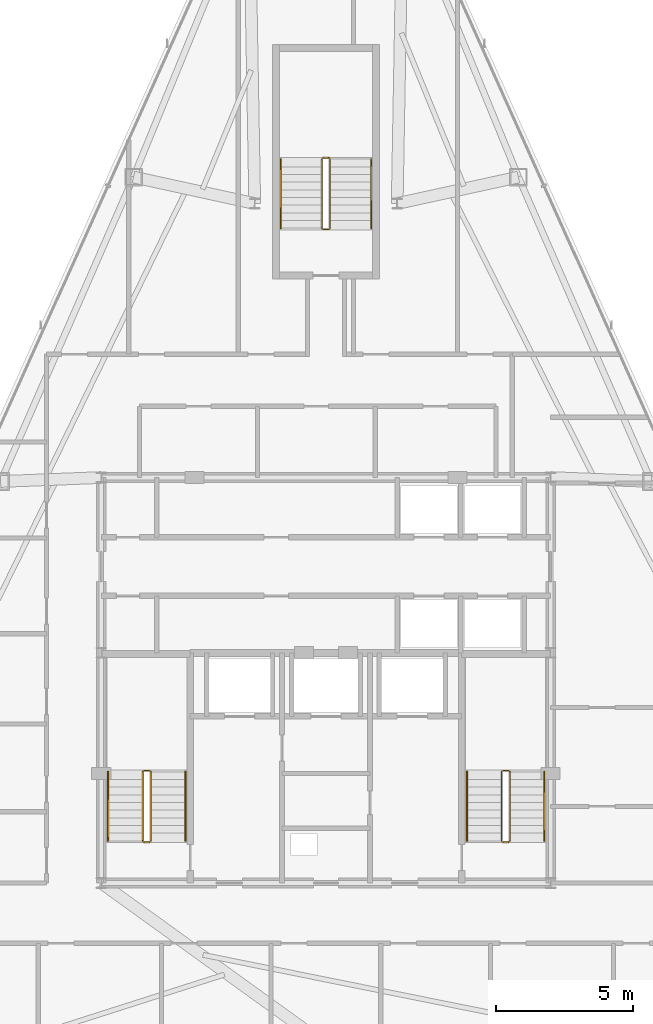
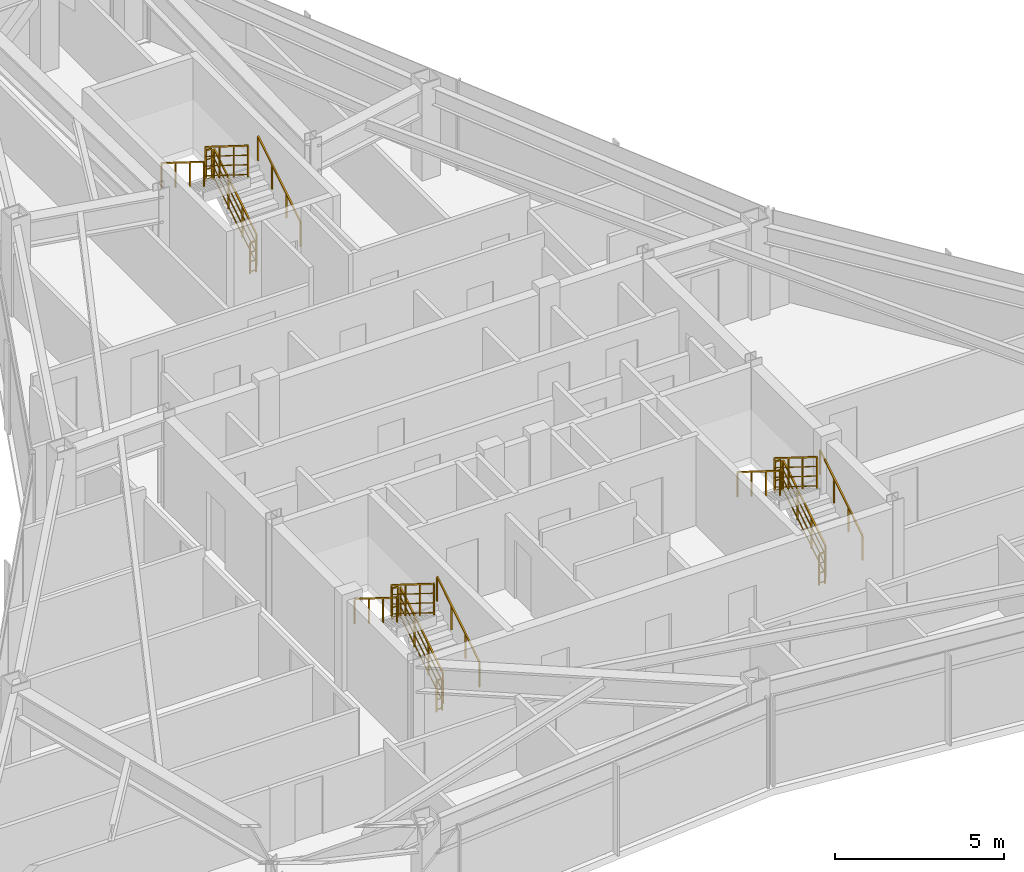
# One storey, part 12 of 12: 18 railings.
"""IFC4 building model written with IfcOpenShell, lengths in metres."""

from ifc_helpers import new_model, si_unit, direction, frame, origin, origin_2d, place, context, subcontext, project, spatial, rectangle, extrude, material, type_object, element, save


model = new_model("IFC4")

# Units and contexts
model_context = context("Model", 3, precision=1e-05, world=origin(), true_north=direction((0.0, 1.0)))
body_context = subcontext(model_context, "Body", "Model", "MODEL_VIEW")
ifc_project = project(units=[si_unit("LENGTHUNIT", "METRE"), si_unit("AREAUNIT", "SQUARE_METRE"), si_unit("VOLUMEUNIT", "CUBIC_METRE"), si_unit("PLANEANGLEUNIT", "RADIAN"), si_unit("MASSUNIT", "GRAM", prefix="KILO")], contexts=[model_context])

# Site, building, storey
site_placement = place(None, origin())
site = spatial("IfcSite", under=ifc_project, at=site_placement, CompositionType="ELEMENT")
building_placement = place(site_placement, origin())
building = spatial("IfcBuilding", under=site, at=building_placement, Name="Varakhsha Concourse Tower", CompositionType="ELEMENT")
storey_placement = place(building_placement, frame((0.0, 0.0, 262.0)))
storey = spatial("IfcBuildingStorey", under=building, at=storey_placement, Name="L74", CompositionType="ELEMENT", Elevation=262.0)

# Railings
ifc_material = material(Name="Brushed Austenitic Stainless Steel AISI 316", Category="steel")
railing_type_1 = type_object("IfcRailingType", Name="RL-STAIR-GUARD-1100", PredefinedType="GUARDRAIL", material=ifc_material)
railing_1_placement = place(storey_placement, frame((33.610107421875, 17.93994140625, 0.175048828125)))
element("IfcRailing", 1, at=railing_1_placement, inside=storey, type_object=railing_type_1, Name="L74 ST1 stair guard 1", PredefinedType="GUARDRAIL", context=body_context, shape_type="SweptSolid", body=[
    extrude(rectangle(XDim=0.048095703125, YDim=0.048095703125, at=origin_2d()), frame((0.0, 0.0, 1.1259765625), z_axis=(0.0, 0.848007534815, 0.529984170421), x_axis=(-1.0, 0.0, 0.0)), (0.0, 0.0, 1.0), 2.9716796875),
    extrude(rectangle(XDim=0.028076171875, YDim=0.028076171875, at=origin_2d()), frame((0.0, 0.0, 0.080078125), z_axis=(0.0, 0.848007534815, 0.529984170421), x_axis=(-1.0, 0.0, 0.0)), (0.0, 0.0, 1.0), 2.9716796875),
    extrude(rectangle(XDim=0.028076171875, YDim=0.028076171875, at=origin_2d()), frame((0.0, 0.0, 0.43701171875), z_axis=(0.0, 0.848007534815, 0.529984170421), x_axis=(-1.0, 0.0, 0.0)), (0.0, 0.0, 1.0), 2.9716796875),
    extrude(rectangle(XDim=0.028076171875, YDim=0.028076171875, at=origin_2d()), frame((0.0, 0.0, 0.781982421875), z_axis=(0.0, 0.848007534815, 0.529984170421), x_axis=(-1.0, 0.0, 0.0)), (0.0, 0.0, 1.0), 2.9716796875),
    extrude(rectangle(XDim=0.0419921875, YDim=0.0419921875, at=origin_2d()), origin(), (0.0, 0.0, 1.0), 1.101806640625),
    extrude(rectangle(XDim=0.0419921875, YDim=0.0419921875, at=origin_2d()), frame((0.0, 0.840087890625, 0.52490234375)), (0.0, 0.0, 1.0), 1.101806640625),
    extrude(rectangle(XDim=0.0419921875, YDim=0.0419921875, at=origin_2d()), frame((0.0, 1.679931640625, 1.050048828125)), (0.0, 0.0, 1.0), 1.101806640625),
    extrude(rectangle(XDim=0.0419921875, YDim=0.0419921875, at=origin_2d()), frame((0.0, 2.52001953125, 1.574951171875)), (0.0, 0.0, 1.0), 1.101806640625),
])
railing_2_placement = place(storey_placement, frame((33.56005859375, 20.510009765625, 1.75)))
element("IfcRailing", 2, at=railing_2_placement, inside=storey, type_object=railing_type_1, Name="L74 ST1 stair guard 2", PredefinedType="GUARDRAIL", context=body_context, shape_type="SweptSolid", body=[
    extrude(rectangle(XDim=0.048095703125, YDim=0.048095703125, at=origin_2d()), frame((0.0, 0.0, 1.1259765625), z_axis=(-1.0, 0.0, 0.0), x_axis=(0.0, -1.0, 0.0)), (0.0, 0.0, 1.0), 0.199951171875),
    extrude(rectangle(XDim=0.028076171875, YDim=0.028076171875, at=origin_2d()), frame((0.0, 0.0, 0.080078125), z_axis=(-1.0, 0.0, 0.0), x_axis=(0.0, -1.0, 0.0)), (0.0, 0.0, 1.0), 0.199951171875),
    extrude(rectangle(XDim=0.028076171875, YDim=0.028076171875, at=origin_2d()), frame((0.0, 0.0, 0.43701171875), z_axis=(-1.0, 0.0, 0.0), x_axis=(0.0, -1.0, 0.0)), (0.0, 0.0, 1.0), 0.199951171875),
    extrude(rectangle(XDim=0.028076171875, YDim=0.028076171875, at=origin_2d()), frame((0.0, 0.0, 0.781982421875), z_axis=(-1.0, 0.0, 0.0), x_axis=(0.0, -1.0, 0.0)), (0.0, 0.0, 1.0), 0.199951171875),
    extrude(rectangle(XDim=0.0419921875, YDim=0.0419921875, at=origin_2d()), origin(), (0.0, 0.0, 1.0), 1.101806640625),
    extrude(rectangle(XDim=0.0419921875, YDim=0.0419921875, at=origin_2d()), frame((-0.199951171875, 0.0, 0.0)), (0.0, 0.0, 1.0), 1.101806640625),
])
railing_3_placement = place(storey_placement, frame((33.31005859375, 20.4599609375, 1.925048828125)))
element("IfcRailing", 3, at=railing_3_placement, inside=storey, type_object=railing_type_1, Name="L74 ST1 stair guard 3", PredefinedType="GUARDRAIL", context=body_context, shape_type="SweptSolid", body=[
    extrude(rectangle(XDim=0.048095703125, YDim=0.048095703125, at=origin_2d()), frame((0.0, 0.0, 1.1259765625), z_axis=(0.0, -0.848007534815, 0.529984170421), x_axis=(1.0, 0.0, 0.0)), (0.0, 0.0, 1.0), 2.9716796875),
    extrude(rectangle(XDim=0.028076171875, YDim=0.028076171875, at=origin_2d()), frame((0.0, 0.0, 0.080078125), z_axis=(0.0, -0.848007534815, 0.529984170421), x_axis=(1.0, 0.0, 0.0)), (0.0, 0.0, 1.0), 2.9716796875),
    extrude(rectangle(XDim=0.028076171875, YDim=0.028076171875, at=origin_2d()), frame((0.0, 0.0, 0.43701171875), z_axis=(0.0, -0.848007534815, 0.529984170421), x_axis=(1.0, 0.0, 0.0)), (0.0, 0.0, 1.0), 2.9716796875),
    extrude(rectangle(XDim=0.028076171875, YDim=0.028076171875, at=origin_2d()), frame((0.0, 0.0, 0.781982421875), z_axis=(0.0, -0.848007534815, 0.529984170421), x_axis=(1.0, 0.0, 0.0)), (0.0, 0.0, 1.0), 2.9716796875),
    extrude(rectangle(XDim=0.0419921875, YDim=0.0419921875, at=origin_2d()), origin(), (0.0, 0.0, 1.0), 1.101806640625),
    extrude(rectangle(XDim=0.0419921875, YDim=0.0419921875, at=origin_2d()), frame((0.0, -0.840087890625, 0.52490234375)), (0.0, 0.0, 1.0), 1.101806640625),
    extrude(rectangle(XDim=0.0419921875, YDim=0.0419921875, at=origin_2d()), frame((0.0, -1.679931640625, 1.050048828125)), (0.0, 0.0, 1.0), 1.101806640625),
    extrude(rectangle(XDim=0.0419921875, YDim=0.0419921875, at=origin_2d()), frame((0.0, -2.52001953125, 1.574951171875)), (0.0, 0.0, 1.0), 1.101806640625),
])
railing_4_placement = place(storey_placement, frame((33.56005859375, 17.889892578125, 0.0)))
element("IfcRailing", 4, at=railing_4_placement, inside=storey, type_object=railing_type_1, Name="L74 ST1 stair guard 4", PredefinedType="GUARDRAIL", context=body_context, shape_type="SweptSolid", body=[
    extrude(rectangle(XDim=0.048095703125, YDim=0.048095703125, at=origin_2d()), frame((0.0, 0.0, 1.1259765625), z_axis=(-1.0, 0.0, 0.0), x_axis=(0.0, -1.0, 0.0)), (0.0, 0.0, 1.0), 0.199951171875),
    extrude(rectangle(XDim=0.028076171875, YDim=0.028076171875, at=origin_2d()), frame((0.0, 0.0, 0.080078125), z_axis=(-1.0, 0.0, 0.0), x_axis=(0.0, -1.0, 0.0)), (0.0, 0.0, 1.0), 0.199951171875),
    extrude(rectangle(XDim=0.028076171875, YDim=0.028076171875, at=origin_2d()), frame((0.0, 0.0, 0.43701171875), z_axis=(-1.0, 0.0, 0.0), x_axis=(0.0, -1.0, 0.0)), (0.0, 0.0, 1.0), 0.199951171875),
    extrude(rectangle(XDim=0.028076171875, YDim=0.028076171875, at=origin_2d()), frame((0.0, 0.0, 0.781982421875), z_axis=(-1.0, 0.0, 0.0), x_axis=(0.0, -1.0, 0.0)), (0.0, 0.0, 1.0), 0.199951171875),
    extrude(rectangle(XDim=0.0419921875, YDim=0.0419921875, at=origin_2d()), origin(), (0.0, 0.0, 1.0), 1.101806640625),
    extrude(rectangle(XDim=0.0419921875, YDim=0.0419921875, at=origin_2d()), frame((-0.199951171875, 0.0, 0.0)), (0.0, 0.0, 1.0), 1.101806640625),
])
railing_5_placement = place(storey_placement, frame((46.7099609375, 17.93994140625, 0.175048828125)))
element("IfcRailing", 5, at=railing_5_placement, inside=storey, type_object=railing_type_1, Name="L74 ST2 stair guard 1", PredefinedType="GUARDRAIL", context=body_context, shape_type="SweptSolid", body=[
    extrude(rectangle(XDim=0.048095703125, YDim=0.048095703125, at=origin_2d()), frame((0.0, 0.0, 1.1259765625), z_axis=(0.0, 0.848007534815, 0.529984170421), x_axis=(-1.0, 0.0, 0.0)), (0.0, 0.0, 1.0), 2.9716796875),
    extrude(rectangle(XDim=0.028076171875, YDim=0.028076171875, at=origin_2d()), frame((0.0, 0.0, 0.080078125), z_axis=(0.0, 0.848007534815, 0.529984170421), x_axis=(-1.0, 0.0, 0.0)), (0.0, 0.0, 1.0), 2.9716796875),
    extrude(rectangle(XDim=0.028076171875, YDim=0.028076171875, at=origin_2d()), frame((0.0, 0.0, 0.43701171875), z_axis=(0.0, 0.848007534815, 0.529984170421), x_axis=(-1.0, 0.0, 0.0)), (0.0, 0.0, 1.0), 2.9716796875),
    extrude(rectangle(XDim=0.028076171875, YDim=0.028076171875, at=origin_2d()), frame((0.0, 0.0, 0.781982421875), z_axis=(0.0, 0.848007534815, 0.529984170421), x_axis=(-1.0, 0.0, 0.0)), (0.0, 0.0, 1.0), 2.9716796875),
    extrude(rectangle(XDim=0.0419921875, YDim=0.0419921875, at=origin_2d()), origin(), (0.0, 0.0, 1.0), 1.101806640625),
    extrude(rectangle(XDim=0.0419921875, YDim=0.0419921875, at=origin_2d()), frame((0.0, 0.840087890625, 0.52490234375)), (0.0, 0.0, 1.0), 1.101806640625),
    extrude(rectangle(XDim=0.0419921875, YDim=0.0419921875, at=origin_2d()), frame((0.0, 1.679931640625, 1.050048828125)), (0.0, 0.0, 1.0), 1.101806640625),
    extrude(rectangle(XDim=0.0419921875, YDim=0.0419921875, at=origin_2d()), frame((0.0, 2.52001953125, 1.574951171875)), (0.0, 0.0, 1.0), 1.101806640625),
])
railing_6_placement = place(storey_placement, frame((46.659912109375, 20.510009765625, 1.75)))
element("IfcRailing", 6, at=railing_6_placement, inside=storey, type_object=railing_type_1, Name="L74 ST2 stair guard 2", PredefinedType="GUARDRAIL", context=body_context, shape_type="SweptSolid", body=[
    extrude(rectangle(XDim=0.048095703125, YDim=0.048095703125, at=origin_2d()), frame((0.0, 0.0, 1.1259765625), z_axis=(-1.0, 0.0, 0.0), x_axis=(0.0, -1.0, 0.0)), (0.0, 0.0, 1.0), 0.199951171875),
    extrude(rectangle(XDim=0.028076171875, YDim=0.028076171875, at=origin_2d()), frame((0.0, 0.0, 0.080078125), z_axis=(-1.0, 0.0, 0.0), x_axis=(0.0, -1.0, 0.0)), (0.0, 0.0, 1.0), 0.199951171875),
    extrude(rectangle(XDim=0.028076171875, YDim=0.028076171875, at=origin_2d()), frame((0.0, 0.0, 0.43701171875), z_axis=(-1.0, 0.0, 0.0), x_axis=(0.0, -1.0, 0.0)), (0.0, 0.0, 1.0), 0.199951171875),
    extrude(rectangle(XDim=0.028076171875, YDim=0.028076171875, at=origin_2d()), frame((0.0, 0.0, 0.781982421875), z_axis=(-1.0, 0.0, 0.0), x_axis=(0.0, -1.0, 0.0)), (0.0, 0.0, 1.0), 0.199951171875),
    extrude(rectangle(XDim=0.0419921875, YDim=0.0419921875, at=origin_2d()), origin(), (0.0, 0.0, 1.0), 1.101806640625),
    extrude(rectangle(XDim=0.0419921875, YDim=0.0419921875, at=origin_2d()), frame((-0.199951171875, 0.0, 0.0)), (0.0, 0.0, 1.0), 1.101806640625),
])
railing_7_placement = place(storey_placement, frame((46.409912109375, 20.4599609375, 1.925048828125)))
element("IfcRailing", 7, at=railing_7_placement, inside=storey, type_object=railing_type_1, Name="L74 ST2 stair guard 3", PredefinedType="GUARDRAIL", context=body_context, shape_type="SweptSolid", body=[
    extrude(rectangle(XDim=0.048095703125, YDim=0.048095703125, at=origin_2d()), frame((0.0, 0.0, 1.1259765625), z_axis=(0.0, -0.848007534815, 0.529984170421), x_axis=(1.0, 0.0, 0.0)), (0.0, 0.0, 1.0), 2.9716796875),
    extrude(rectangle(XDim=0.028076171875, YDim=0.028076171875, at=origin_2d()), frame((0.0, 0.0, 0.080078125), z_axis=(0.0, -0.848007534815, 0.529984170421), x_axis=(1.0, 0.0, 0.0)), (0.0, 0.0, 1.0), 2.9716796875),
    extrude(rectangle(XDim=0.028076171875, YDim=0.028076171875, at=origin_2d()), frame((0.0, 0.0, 0.43701171875), z_axis=(0.0, -0.848007534815, 0.529984170421), x_axis=(1.0, 0.0, 0.0)), (0.0, 0.0, 1.0), 2.9716796875),
    extrude(rectangle(XDim=0.028076171875, YDim=0.028076171875, at=origin_2d()), frame((0.0, 0.0, 0.781982421875), z_axis=(0.0, -0.848007534815, 0.529984170421), x_axis=(1.0, 0.0, 0.0)), (0.0, 0.0, 1.0), 2.9716796875),
    extrude(rectangle(XDim=0.0419921875, YDim=0.0419921875, at=origin_2d()), origin(), (0.0, 0.0, 1.0), 1.101806640625),
    extrude(rectangle(XDim=0.0419921875, YDim=0.0419921875, at=origin_2d()), frame((0.0, -0.840087890625, 0.52490234375)), (0.0, 0.0, 1.0), 1.101806640625),
    extrude(rectangle(XDim=0.0419921875, YDim=0.0419921875, at=origin_2d()), frame((0.0, -1.679931640625, 1.050048828125)), (0.0, 0.0, 1.0), 1.101806640625),
    extrude(rectangle(XDim=0.0419921875, YDim=0.0419921875, at=origin_2d()), frame((0.0, -2.52001953125, 1.574951171875)), (0.0, 0.0, 1.0), 1.101806640625),
])
railing_8_placement = place(storey_placement, frame((46.659912109375, 17.889892578125, 0.0)))
element("IfcRailing", 8, at=railing_8_placement, inside=storey, type_object=railing_type_1, Name="L74 ST2 stair guard 4", PredefinedType="GUARDRAIL", context=body_context, shape_type="SweptSolid", body=[
    extrude(rectangle(XDim=0.048095703125, YDim=0.048095703125, at=origin_2d()), frame((0.0, 0.0, 1.1259765625), z_axis=(-1.0, 0.0, 0.0), x_axis=(0.0, -1.0, 0.0)), (0.0, 0.0, 1.0), 0.199951171875),
    extrude(rectangle(XDim=0.028076171875, YDim=0.028076171875, at=origin_2d()), frame((0.0, 0.0, 0.080078125), z_axis=(-1.0, 0.0, 0.0), x_axis=(0.0, -1.0, 0.0)), (0.0, 0.0, 1.0), 0.199951171875),
    extrude(rectangle(XDim=0.028076171875, YDim=0.028076171875, at=origin_2d()), frame((0.0, 0.0, 0.43701171875), z_axis=(-1.0, 0.0, 0.0), x_axis=(0.0, -1.0, 0.0)), (0.0, 0.0, 1.0), 0.199951171875),
    extrude(rectangle(XDim=0.028076171875, YDim=0.028076171875, at=origin_2d()), frame((0.0, 0.0, 0.781982421875), z_axis=(-1.0, 0.0, 0.0), x_axis=(0.0, -1.0, 0.0)), (0.0, 0.0, 1.0), 0.199951171875),
    extrude(rectangle(XDim=0.0419921875, YDim=0.0419921875, at=origin_2d()), origin(), (0.0, 0.0, 1.0), 1.101806640625),
    extrude(rectangle(XDim=0.0419921875, YDim=0.0419921875, at=origin_2d()), frame((-0.199951171875, 0.0, 0.0)), (0.0, 0.0, 1.0), 1.101806640625),
])
railing_9_placement = place(storey_placement, frame((40.14990234375, 40.300048828125, 0.175048828125)))
element("IfcRailing", 9, at=railing_9_placement, inside=storey, type_object=railing_type_1, Name="L74 ST5 stair guard 1", PredefinedType="GUARDRAIL", context=body_context, shape_type="SweptSolid", body=[
    extrude(rectangle(XDim=0.048095703125, YDim=0.048095703125, at=origin_2d()), frame((0.0, 0.0, 1.1259765625), z_axis=(0.0, 0.848007534815, 0.529984170421), x_axis=(-1.0, 0.0, 0.0)), (0.0, 0.0, 1.0), 2.9716796875),
    extrude(rectangle(XDim=0.028076171875, YDim=0.028076171875, at=origin_2d()), frame((0.0, 0.0, 0.080078125), z_axis=(0.0, 0.848007534815, 0.529984170421), x_axis=(-1.0, 0.0, 0.0)), (0.0, 0.0, 1.0), 2.9716796875),
    extrude(rectangle(XDim=0.028076171875, YDim=0.028076171875, at=origin_2d()), frame((0.0, 0.0, 0.43701171875), z_axis=(0.0, 0.848007534815, 0.529984170421), x_axis=(-1.0, 0.0, 0.0)), (0.0, 0.0, 1.0), 2.9716796875),
    extrude(rectangle(XDim=0.028076171875, YDim=0.028076171875, at=origin_2d()), frame((0.0, 0.0, 0.781982421875), z_axis=(0.0, 0.848007534815, 0.529984170421), x_axis=(-1.0, 0.0, 0.0)), (0.0, 0.0, 1.0), 2.9716796875),
    extrude(rectangle(XDim=0.0419921875, YDim=0.0419921875, at=origin_2d()), origin(), (0.0, 0.0, 1.0), 1.101806640625),
    extrude(rectangle(XDim=0.0419921875, YDim=0.0419921875, at=origin_2d()), frame((0.0, 0.840087890625, 0.52490234375)), (0.0, 0.0, 1.0), 1.101806640625),
    extrude(rectangle(XDim=0.0419921875, YDim=0.0419921875, at=origin_2d()), frame((0.0, 1.679931640625, 1.050048828125)), (0.0, 0.0, 1.0), 1.101806640625),
    extrude(rectangle(XDim=0.0419921875, YDim=0.0419921875, at=origin_2d()), frame((0.0, 2.52001953125, 1.574951171875)), (0.0, 0.0, 1.0), 1.101806640625),
])
railing_10_placement = place(storey_placement, frame((40.10009765625, 42.8701171875, 1.75)))
element("IfcRailing", 10, at=railing_10_placement, inside=storey, type_object=railing_type_1, Name="L74 ST5 stair guard 2", PredefinedType="GUARDRAIL", context=body_context, shape_type="SweptSolid", body=[
    extrude(rectangle(XDim=0.048095703125, YDim=0.048095703125, at=origin_2d()), frame((0.0, 0.0, 1.1259765625), z_axis=(-1.0, 0.0, 0.0), x_axis=(0.0, -1.0, 0.0)), (0.0, 0.0, 1.0), 0.2001953125),
    extrude(rectangle(XDim=0.028076171875, YDim=0.028076171875, at=origin_2d()), frame((0.0, 0.0, 0.080078125), z_axis=(-1.0, 0.0, 0.0), x_axis=(0.0, -1.0, 0.0)), (0.0, 0.0, 1.0), 0.2001953125),
    extrude(rectangle(XDim=0.028076171875, YDim=0.028076171875, at=origin_2d()), frame((0.0, 0.0, 0.43701171875), z_axis=(-1.0, 0.0, 0.0), x_axis=(0.0, -1.0, 0.0)), (0.0, 0.0, 1.0), 0.2001953125),
    extrude(rectangle(XDim=0.028076171875, YDim=0.028076171875, at=origin_2d()), frame((0.0, 0.0, 0.781982421875), z_axis=(-1.0, 0.0, 0.0), x_axis=(0.0, -1.0, 0.0)), (0.0, 0.0, 1.0), 0.2001953125),
    extrude(rectangle(XDim=0.0419921875, YDim=0.0419921875, at=origin_2d()), origin(), (0.0, 0.0, 1.0), 1.101806640625),
    extrude(rectangle(XDim=0.0419921875, YDim=0.0419921875, at=origin_2d()), frame((-0.2001953125, 0.0, 0.0)), (0.0, 0.0, 1.0), 1.101806640625),
])
railing_11_placement = place(storey_placement, frame((39.85009765625, 42.820068359375, 1.925048828125)))
element("IfcRailing", 11, at=railing_11_placement, inside=storey, type_object=railing_type_1, Name="L74 ST5 stair guard 3", PredefinedType="GUARDRAIL", context=body_context, shape_type="SweptSolid", body=[
    extrude(rectangle(XDim=0.048095703125, YDim=0.048095703125, at=origin_2d()), frame((0.0, 0.0, 1.1259765625), z_axis=(0.0, -0.848007534815, 0.529984170421), x_axis=(1.0, 0.0, 0.0)), (0.0, 0.0, 1.0), 2.9716796875),
    extrude(rectangle(XDim=0.028076171875, YDim=0.028076171875, at=origin_2d()), frame((0.0, 0.0, 0.080078125), z_axis=(0.0, -0.848007534815, 0.529984170421), x_axis=(1.0, 0.0, 0.0)), (0.0, 0.0, 1.0), 2.9716796875),
    extrude(rectangle(XDim=0.028076171875, YDim=0.028076171875, at=origin_2d()), frame((0.0, 0.0, 0.43701171875), z_axis=(0.0, -0.848007534815, 0.529984170421), x_axis=(1.0, 0.0, 0.0)), (0.0, 0.0, 1.0), 2.9716796875),
    extrude(rectangle(XDim=0.028076171875, YDim=0.028076171875, at=origin_2d()), frame((0.0, 0.0, 0.781982421875), z_axis=(0.0, -0.848007534815, 0.529984170421), x_axis=(1.0, 0.0, 0.0)), (0.0, 0.0, 1.0), 2.9716796875),
    extrude(rectangle(XDim=0.0419921875, YDim=0.0419921875, at=origin_2d()), origin(), (0.0, 0.0, 1.0), 1.101806640625),
    extrude(rectangle(XDim=0.0419921875, YDim=0.0419921875, at=origin_2d()), frame((0.0, -0.840087890625, 0.52490234375)), (0.0, 0.0, 1.0), 1.101806640625),
    extrude(rectangle(XDim=0.0419921875, YDim=0.0419921875, at=origin_2d()), frame((0.0, -1.679931640625, 1.050048828125)), (0.0, 0.0, 1.0), 1.101806640625),
    extrude(rectangle(XDim=0.0419921875, YDim=0.0419921875, at=origin_2d()), frame((0.0, -2.52001953125, 1.574951171875)), (0.0, 0.0, 1.0), 1.101806640625),
])
railing_12_placement = place(storey_placement, frame((40.10009765625, 40.25, 0.0)))
element("IfcRailing", 12, at=railing_12_placement, inside=storey, type_object=railing_type_1, Name="L74 ST5 stair guard 4", PredefinedType="GUARDRAIL", context=body_context, shape_type="SweptSolid", body=[
    extrude(rectangle(XDim=0.048095703125, YDim=0.048095703125, at=origin_2d()), frame((0.0, 0.0, 1.1259765625), z_axis=(-1.0, 0.0, 0.0), x_axis=(0.0, -1.0, 0.0)), (0.0, 0.0, 1.0), 0.2001953125),
    extrude(rectangle(XDim=0.028076171875, YDim=0.028076171875, at=origin_2d()), frame((0.0, 0.0, 0.080078125), z_axis=(-1.0, 0.0, 0.0), x_axis=(0.0, -1.0, 0.0)), (0.0, 0.0, 1.0), 0.2001953125),
    extrude(rectangle(XDim=0.028076171875, YDim=0.028076171875, at=origin_2d()), frame((0.0, 0.0, 0.43701171875), z_axis=(-1.0, 0.0, 0.0), x_axis=(0.0, -1.0, 0.0)), (0.0, 0.0, 1.0), 0.2001953125),
    extrude(rectangle(XDim=0.028076171875, YDim=0.028076171875, at=origin_2d()), frame((0.0, 0.0, 0.781982421875), z_axis=(-1.0, 0.0, 0.0), x_axis=(0.0, -1.0, 0.0)), (0.0, 0.0, 1.0), 0.2001953125),
    extrude(rectangle(XDim=0.0419921875, YDim=0.0419921875, at=origin_2d()), origin(), (0.0, 0.0, 1.0), 1.101806640625),
    extrude(rectangle(XDim=0.0419921875, YDim=0.0419921875, at=origin_2d()), frame((-0.2001953125, 0.0, 0.0)), (0.0, 0.0, 1.0), 1.101806640625),
])
railing_type_2 = type_object("IfcRailingType", Name="RL-STAIR-RAIL-915", PredefinedType="HANDRAIL", material=ifc_material)
railing_13_placement = place(storey_placement, frame((34.8701171875, 17.93994140625, 0.35009765625)))
element("IfcRailing", 13, at=railing_13_placement, inside=storey, type_object=railing_type_2, Name="L74 ST1 stair handrail 1", PredefinedType="HANDRAIL", context=body_context, shape_type="SweptSolid", body=[
    extrude(rectangle(XDim=0.048095703125, YDim=0.048095703125, at=origin_2d()), frame((0.0, 0.0, 0.89111328125), z_axis=(0.0, 0.848007534815, 0.529984170421), x_axis=(-1.0, 0.0, 0.0)), (0.0, 0.0, 1.0), 2.9716796875),
    extrude(rectangle(XDim=0.0419921875, YDim=0.0419921875, at=origin_2d()), origin(), (0.0, 0.0, 1.0), 0.866943359375),
    extrude(rectangle(XDim=0.0419921875, YDim=0.0419921875, at=origin_2d()), frame((0.0, 0.840087890625, 0.52490234375)), (0.0, 0.0, 1.0), 0.866943359375),
    extrude(rectangle(XDim=0.0419921875, YDim=0.0419921875, at=origin_2d()), frame((0.0, 1.679931640625, 1.050048828125)), (0.0, 0.0, 1.0), 0.866943359375),
    extrude(rectangle(XDim=0.0419921875, YDim=0.0419921875, at=origin_2d()), frame((0.0, 2.52001953125, 1.574951171875)), (0.0, 0.0, 1.0), 0.866943359375),
])
railing_14_placement = place(storey_placement, frame((32.050048828125, 20.4599609375, 2.10009765625)))
element("IfcRailing", 14, at=railing_14_placement, inside=storey, type_object=railing_type_2, Name="L74 ST1 stair handrail 2", PredefinedType="HANDRAIL", context=body_context, shape_type="SweptSolid", body=[
    extrude(rectangle(XDim=0.048095703125, YDim=0.048095703125, at=origin_2d()), frame((0.0, 0.0, 0.89111328125), z_axis=(0.0, -0.848007534815, 0.529984170421), x_axis=(1.0, 0.0, 0.0)), (0.0, 0.0, 1.0), 2.9716796875),
    extrude(rectangle(XDim=0.0419921875, YDim=0.0419921875, at=origin_2d()), origin(), (0.0, 0.0, 1.0), 0.866943359375),
    extrude(rectangle(XDim=0.0419921875, YDim=0.0419921875, at=origin_2d()), frame((0.0, -0.840087890625, 0.52490234375)), (0.0, 0.0, 1.0), 0.866943359375),
    extrude(rectangle(XDim=0.0419921875, YDim=0.0419921875, at=origin_2d()), frame((0.0, -1.679931640625, 1.050048828125)), (0.0, 0.0, 1.0), 0.866943359375),
    extrude(rectangle(XDim=0.0419921875, YDim=0.0419921875, at=origin_2d()), frame((0.0, -2.52001953125, 1.574951171875)), (0.0, 0.0, 1.0), 0.866943359375),
])
railing_15_placement = place(storey_placement, frame((47.969970703125, 17.93994140625, 0.35009765625)))
element("IfcRailing", 15, at=railing_15_placement, inside=storey, type_object=railing_type_2, Name="L74 ST2 stair handrail 1", PredefinedType="HANDRAIL", context=body_context, shape_type="SweptSolid", body=[
    extrude(rectangle(XDim=0.048095703125, YDim=0.048095703125, at=origin_2d()), frame((0.0, 0.0, 0.89111328125), z_axis=(0.0, 0.848007534815, 0.529984170421), x_axis=(-1.0, 0.0, 0.0)), (0.0, 0.0, 1.0), 2.9716796875),
    extrude(rectangle(XDim=0.0419921875, YDim=0.0419921875, at=origin_2d()), origin(), (0.0, 0.0, 1.0), 0.866943359375),
    extrude(rectangle(XDim=0.0419921875, YDim=0.0419921875, at=origin_2d()), frame((0.0, 0.840087890625, 0.52490234375)), (0.0, 0.0, 1.0), 0.866943359375),
    extrude(rectangle(XDim=0.0419921875, YDim=0.0419921875, at=origin_2d()), frame((0.0, 1.679931640625, 1.050048828125)), (0.0, 0.0, 1.0), 0.866943359375),
    extrude(rectangle(XDim=0.0419921875, YDim=0.0419921875, at=origin_2d()), frame((0.0, 2.52001953125, 1.574951171875)), (0.0, 0.0, 1.0), 0.866943359375),
])
railing_16_placement = place(storey_placement, frame((45.14990234375, 20.4599609375, 2.10009765625)))
element("IfcRailing", 16, at=railing_16_placement, inside=storey, type_object=railing_type_2, Name="L74 ST2 stair handrail 2", PredefinedType="HANDRAIL", context=body_context, shape_type="SweptSolid", body=[
    extrude(rectangle(XDim=0.048095703125, YDim=0.048095703125, at=origin_2d()), frame((0.0, 0.0, 0.89111328125), z_axis=(0.0, -0.848007534815, 0.529984170421), x_axis=(1.0, 0.0, 0.0)), (0.0, 0.0, 1.0), 2.9716796875),
    extrude(rectangle(XDim=0.0419921875, YDim=0.0419921875, at=origin_2d()), origin(), (0.0, 0.0, 1.0), 0.866943359375),
    extrude(rectangle(XDim=0.0419921875, YDim=0.0419921875, at=origin_2d()), frame((0.0, -0.840087890625, 0.52490234375)), (0.0, 0.0, 1.0), 0.866943359375),
    extrude(rectangle(XDim=0.0419921875, YDim=0.0419921875, at=origin_2d()), frame((0.0, -1.679931640625, 1.050048828125)), (0.0, 0.0, 1.0), 0.866943359375),
    extrude(rectangle(XDim=0.0419921875, YDim=0.0419921875, at=origin_2d()), frame((0.0, -2.52001953125, 1.574951171875)), (0.0, 0.0, 1.0), 0.866943359375),
])
railing_17_placement = place(storey_placement, frame((41.64990234375, 40.300048828125, 0.35009765625)))
element("IfcRailing", 17, at=railing_17_placement, inside=storey, type_object=railing_type_2, Name="L74 ST5 stair handrail 1", PredefinedType="HANDRAIL", context=body_context, shape_type="SweptSolid", body=[
    extrude(rectangle(XDim=0.048095703125, YDim=0.048095703125, at=origin_2d()), frame((0.0, 0.0, 0.89111328125), z_axis=(0.0, 0.848007534815, 0.529984170421), x_axis=(-1.0, 0.0, 0.0)), (0.0, 0.0, 1.0), 2.9716796875),
    extrude(rectangle(XDim=0.0419921875, YDim=0.0419921875, at=origin_2d()), origin(), (0.0, 0.0, 1.0), 0.866943359375),
    extrude(rectangle(XDim=0.0419921875, YDim=0.0419921875, at=origin_2d()), frame((0.0, 0.840087890625, 0.52490234375)), (0.0, 0.0, 1.0), 0.866943359375),
    extrude(rectangle(XDim=0.0419921875, YDim=0.0419921875, at=origin_2d()), frame((0.0, 1.679931640625, 1.050048828125)), (0.0, 0.0, 1.0), 0.866943359375),
    extrude(rectangle(XDim=0.0419921875, YDim=0.0419921875, at=origin_2d()), frame((0.0, 2.52001953125, 1.574951171875)), (0.0, 0.0, 1.0), 0.866943359375),
])
railing_18_placement = place(storey_placement, frame((38.35009765625, 42.820068359375, 2.10009765625)))
element("IfcRailing", 18, at=railing_18_placement, inside=storey, type_object=railing_type_2, Name="L74 ST5 stair handrail 2", PredefinedType="HANDRAIL", context=body_context, shape_type="SweptSolid", body=[
    extrude(rectangle(XDim=0.048095703125, YDim=0.048095703125, at=origin_2d()), frame((0.0, 0.0, 0.89111328125), z_axis=(0.0, -0.848007534815, 0.529984170421), x_axis=(1.0, 0.0, 0.0)), (0.0, 0.0, 1.0), 2.9716796875),
    extrude(rectangle(XDim=0.0419921875, YDim=0.0419921875, at=origin_2d()), origin(), (0.0, 0.0, 1.0), 0.866943359375),
    extrude(rectangle(XDim=0.0419921875, YDim=0.0419921875, at=origin_2d()), frame((0.0, -0.840087890625, 0.52490234375)), (0.0, 0.0, 1.0), 0.866943359375),
    extrude(rectangle(XDim=0.0419921875, YDim=0.0419921875, at=origin_2d()), frame((0.0, -1.679931640625, 1.050048828125)), (0.0, 0.0, 1.0), 0.866943359375),
    extrude(rectangle(XDim=0.0419921875, YDim=0.0419921875, at=origin_2d()), frame((0.0, -2.52001953125, 1.574951171875)), (0.0, 0.0, 1.0), 0.866943359375),
])

save(model, "model.ifc")
